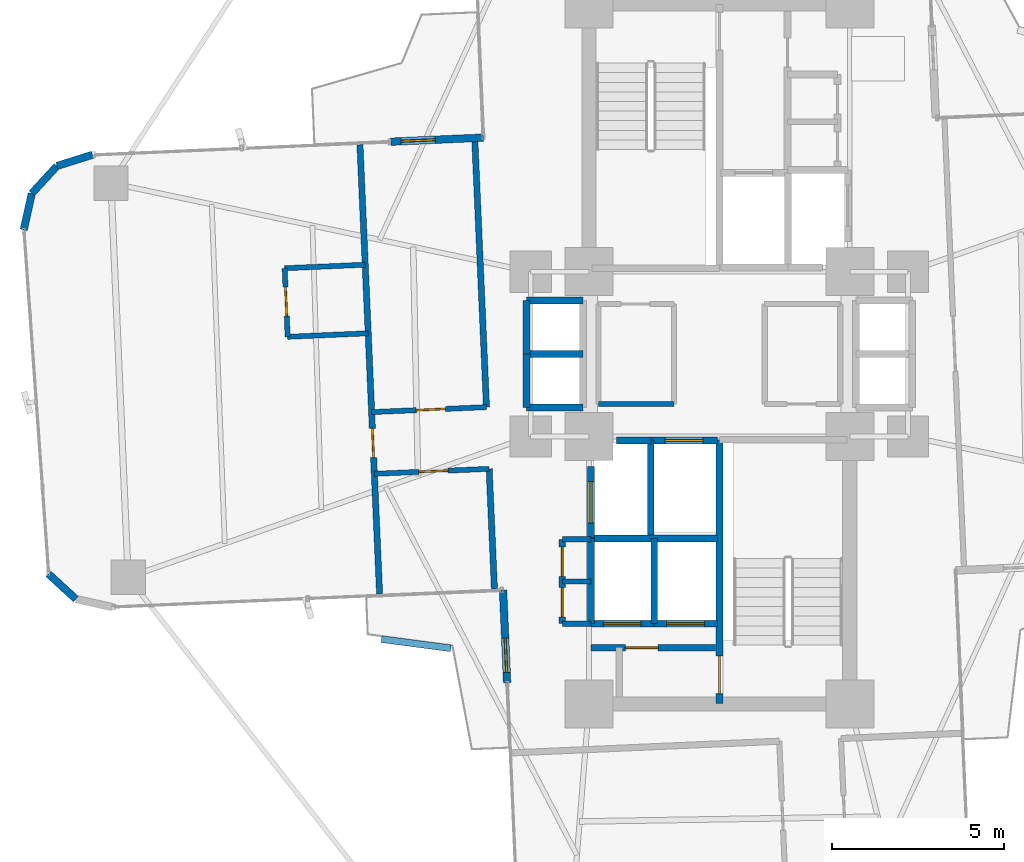
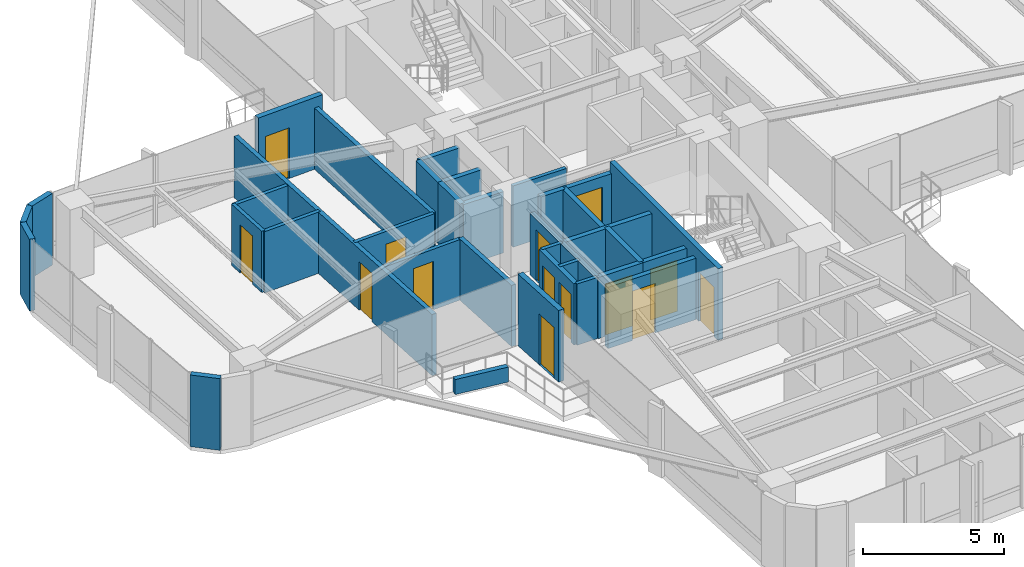
# One storey, part 23 of 26: 36 walls, 14 doors, 14 openings.
"""IFC4 building model written with IfcOpenShell, lengths in metres."""

from ifc_helpers import new_model, si_unit, direction, frame, frame_2d, origin, origin_2d, place, context, subcontext, project, spatial, rectangle, extrude, source, transform, mapped, material, layer, layer_set, type_object, element, fill, save


model = new_model("IFC4")

# Units and contexts
model_context = context("Model", 3, precision=1e-05, world=origin(), true_north=direction((0.0, 1.0)))
body_context = subcontext(model_context, "Body", "Model", "MODEL_VIEW")
ifc_project = project(units=[si_unit("LENGTHUNIT", "METRE"), si_unit("AREAUNIT", "SQUARE_METRE"), si_unit("VOLUMEUNIT", "CUBIC_METRE"), si_unit("PLANEANGLEUNIT", "RADIAN"), si_unit("MASSUNIT", "GRAM", prefix="KILO")], contexts=[model_context])

# Site, building, storey
site_placement = place(None, origin())
site = spatial("IfcSite", under=ifc_project, at=site_placement, CompositionType="ELEMENT")
building_placement = place(site_placement, origin())
building = spatial("IfcBuilding", under=site, at=building_placement, Name="Sahyath Konkavel Grand Hotel", CompositionType="ELEMENT")
storey_placement = place(building_placement, frame((0.0, 0.0, 121.5)))
storey = spatial("IfcBuildingStorey", under=building, at=storey_placement, Name="L33", CompositionType="ELEMENT", Elevation=121.5)

# Wall, opening, door
ifc_material_1 = material(Name="Warm Buff Sandstone Insulated Concrete C40/50", Category="masonry")
ifc_layer_1 = layer(ifc_material_1, 0.219970703125)
ifc_layer_set_1 = layer_set([ifc_layer_1], Name="Warm Buff Sandstone Insulated Concrete C40/50")
wall_type_1 = type_object("IfcWallType", Name="WLL-BALC-THRESH", PredefinedType="STANDARD", material=ifc_layer_set_1)
wall_1_placement = place(storey_placement, frame((-6.881591796875, 6.305908203125, 0.0), z_axis=(0.0, 0.0, 1.0), x_axis=(-0.999045894436, -0.043672655174, 0.0)))
wall_1 = element("IfcWall", 1, at=wall_1_placement, inside=storey, type_object=wall_type_1, Name="L33 Winter-Garden Threshold Wall 16", PredefinedType="STANDARD", context=body_context, shape_type="SweptSolid", body=[
    extrude(rectangle(XDim=2.7001953125, YDim=0.219970703125, at=frame_2d((1.35009765625, 0.0))), origin(), (0.0, 0.0, 1.0), 3.110107421875),
])
opening_1_placement = place(wall_1_placement, frame((1.39990234375, 0.0, 0.0)))
opening_1 = element("IfcOpeningElement", 2, at=opening_1_placement, cuts=wall_1, Name="Opening D-TR1", PredefinedType="OPENING", context=body_context, shape_type="SweptSolid", body=[
    extrude(rectangle(XDim=1.0, YDim=2.199951171875, at=frame_2d((0.5, 1.10009765625))), frame((0.0, 0.1201171875, 0.0), z_axis=(0.0, -1.0, 0.0), x_axis=(1.0, 0.0, 0.0)), (0.0, 0.0, 1.0), 0.239990234375),
])
ifc_material_2 = material(Name="Anodised Bronze Aluminium & Low-E Glazing", Category="aluminium")
door_type_1 = type_object("IfcDoorType", Name="DR-TERRACE-1000", OperationType="NOTDEFINED", PredefinedType="DOOR", material=ifc_material_2)
shared_shape_1 = source(origin(), body_context, "Body", "SweptSolid", [
    extrude(rectangle(XDim=1.0, YDim=0.050048828125, at=origin_2d()), origin(), (0.0, 0.0, 1.0), 2.199951171875),
])
door_1_placement = place(opening_1_placement, frame((0.5, 0.0, 0.0)))
door_1 = element("IfcDoor", 3, at=door_1_placement, inside=storey, type_object=door_type_1, Name="L33 Winter-Garden Terrace Door 16", OperationType="SINGLE_SWING_LEFT", OverallHeight=2.199951171875, OverallWidth=1.0, PredefinedType="DOOR", context=body_context, shape_type="MappedRepresentation", body=[
    mapped(shared_shape_1, transform((0.0, 0.0, 0.0), scale=1.0)),
])
fill(opening_1, door_1)

# Walls
for number, where, z_axis, x_axis, name in (
    (4, (-18.270751953125, 5.80859375, 0.0), (0.0, 0.0, 1.0), (-0.953721713582, -0.30069069331, 0.0), "L33 Rounded Corner Sandstone Pier 17"),
    (5, (-19.3076171875, 5.481689453125, 0.0), (0.0, 0.0, 1.0), (-0.675551721847, -0.737312600672, 0.0), "L33 Rounded Corner Sandstone Pier 18"),
):
    element("IfcWall", number, at=place(storey_placement, frame(where, z_axis=z_axis, x_axis=x_axis)), inside=storey, type_object=wall_type_1, Name=name, PredefinedType="STANDARD", context=body_context, shape_type="SweptSolid", body=[
        extrude(rectangle(XDim=1.087158203125, YDim=0.219970703125, at=frame_2d((0.54345703125, 0.0))), origin(), (0.0, 0.0, 1.0), 3.110107421875),
    ])
for number, where, z_axis, x_axis, name in (
    (6, (-20.0419921875, 4.68017578125, 0.0), (0.0, 0.0, 1.0), (-0.216288323511, -0.976329535102, 0.0), "L33 Rounded Corner Sandstone Pier 19"),
    (7, (-19.5576171875, -6.4091796875, 0.0), (0.0, 0.0, 1.0), (0.737210081318, -0.675663596772, 0.0), "L33 Rounded Corner Sandstone Pier 21"),
):
    element("IfcWall", number, at=place(storey_placement, frame(where, z_axis=z_axis, x_axis=x_axis)), inside=storey, type_object=wall_type_1, Name=name, PredefinedType="STANDARD", context=body_context, shape_type="SweptSolid", body=[
        extrude(rectangle(XDim=1.0869140625, YDim=0.219970703125, at=frame_2d((0.54345703125, 0.0))), origin(), (0.0, 0.0, 1.0), 3.110107421875),
    ])

# Wall, opening, door
wall_2_placement = place(storey_placement, frame((-6.305908203125, -6.881591796875, 0.0), z_axis=(0.0, 0.0, 1.0), x_axis=(0.043672655174, -0.999045894436, 0.0)))
wall_2 = element("IfcWall", 8, at=wall_2_placement, inside=storey, type_object=wall_type_1, Name="L33 Winter-Garden Threshold Wall 24", PredefinedType="STANDARD", context=body_context, shape_type="SweptSolid", body=[
    extrude(rectangle(XDim=2.7001953125, YDim=0.219970703125, at=frame_2d((1.35009765625, 0.0))), origin(), (0.0, 0.0, 1.0), 3.110107421875),
])
opening_2_placement = place(wall_2_placement, frame((1.39990234375, 0.0, 0.0)))
opening_2 = element("IfcOpeningElement", 9, at=opening_2_placement, cuts=wall_2, Name="Opening D-TR1", PredefinedType="OPENING", context=body_context, shape_type="SweptSolid", body=[
    extrude(rectangle(XDim=1.0, YDim=2.199951171875, at=frame_2d((0.5, 1.10009765625))), frame((0.0, 0.1201171875, 0.0), z_axis=(0.0, -1.0, 0.0), x_axis=(1.0, 0.0, 0.0)), (0.0, 0.0, 1.0), 0.239990234375),
])
door_2_placement = place(opening_2_placement, frame((0.5, 0.0, 0.0)))
door_2 = element("IfcDoor", 10, at=door_2_placement, inside=storey, type_object=door_type_1, Name="L33 Winter-Garden Terrace Door 24", OperationType="SINGLE_SWING_LEFT", OverallHeight=2.199951171875, OverallWidth=1.0, PredefinedType="DOOR", context=body_context, shape_type="MappedRepresentation", body=[
    mapped(shared_shape_1, transform((0.0, 0.0, 0.0), scale=1.0)),
])
fill(opening_2, door_2)

ifc_material_3 = material(Name="Concrete C40/50", Category="concrete")
ifc_layer_2 = layer(ifc_material_3, 0.199951171875)
ifc_layer_set_2 = layer_set([ifc_layer_2], Name="Concrete C40/50")
wall_type_2 = type_object("IfcWallType", Name="WLL-CORE-200", PredefinedType="SOLIDWALL", material=ifc_layer_set_2)
wall_3_placement = place(storey_placement, frame((0.0, -10.179931640625, 0.0), z_axis=(0.0, 0.0, 1.0), x_axis=(0.0, 1.0, 0.0)))
wall_3 = element("IfcWall", 11, at=wall_3_placement, inside=storey, type_object=wall_type_2, Name="L33 Stair ST-2 Shaft Wall W", PredefinedType="SOLIDWALL", context=body_context, shape_type="SweptSolid", body=[
    extrude(rectangle(XDim=7.679931640625, YDim=0.199951171875, at=frame_2d((3.83984375, 0.0))), origin(), (0.0, 0.0, 1.0), 3.110107421875),
])
opening_3_placement = place(wall_3_placement, frame((0.280029296875, 0.0, 0.0)))
opening_3 = element("IfcOpeningElement", 12, at=opening_3_placement, cuts=wall_3, Name="Opening D-F12B", PredefinedType="OPENING", context=body_context, shape_type="SweptSolid", body=[
    extrude(rectangle(XDim=1.10009765625, YDim=2.14990234375, at=frame_2d((0.550048828125, 1.074951171875))), frame((0.0, 0.10986328125, 0.0), z_axis=(0.0, -1.0, 0.0), x_axis=(1.0, 0.0, 0.0)), (0.0, 0.0, 1.0), 0.219970703125),
])
ifc_material_4 = material(Name="Steel E350 Smokeproof Fire Door", Category="steel")
door_type_2 = type_object("IfcDoorType", Name="DR-FD120-1100", OperationType="NOTDEFINED", PredefinedType="DOOR", material=ifc_material_4)
shared_shape_2 = source(origin(), body_context, "Body", "SweptSolid", [
    extrude(rectangle(XDim=1.10009765625, YDim=0.050048828125, at=origin_2d()), origin(), (0.0, 0.0, 1.0), 2.14990234375),
])
door_3_placement = place(opening_3_placement, frame((0.550048828125, 0.0, 0.0)))
door_3 = element("IfcDoor", 13, at=door_3_placement, inside=storey, type_object=door_type_2, Name="L33 Stair ST-2 Fire Door", OperationType="SINGLE_SWING_RIGHT", OverallHeight=2.14990234375, OverallWidth=1.10009765625, PredefinedType="DOOR", context=body_context, shape_type="MappedRepresentation", body=[
    mapped(shared_shape_2, transform((0.0, 0.0, 0.0), scale=1.0)),
])
fill(opening_3, door_3)

# Wall
wall_4_placement = place(storey_placement, frame((-2.0, -5.280029296875, 0.0), z_axis=(0.0, 0.0, 1.0), x_axis=(0.0, 1.0, 0.0)))
element("IfcWall", 14, at=wall_4_placement, inside=storey, type_object=wall_type_2, Name="L33 Partition SH-FFL2-W", PredefinedType="SOLIDWALL", context=body_context, shape_type="SweptSolid", body=[
    extrude(rectangle(XDim=2.780029296875, YDim=0.199951171875, at=frame_2d((1.39013671875, 0.0))), origin(), (0.0, 0.0, 1.0), 2.659912109375),
])

# Wall, opening, door
wall_5_placement = place(storey_placement, frame((-2.0, -2.52001953125, 0.0), z_axis=(0.0, 0.0, 1.0), x_axis=(1.0, 0.0, 0.0)))
wall_5 = element("IfcWall", 15, at=wall_5_placement, inside=storey, type_object=wall_type_2, Name="L33 Partition SH-FFL2-N", PredefinedType="SOLIDWALL", context=body_context, shape_type="SweptSolid", body=[
    extrude(rectangle(XDim=1.949951171875, YDim=0.199951171875, at=frame_2d((0.97509765625, 0.0))), origin(), (0.0, 0.0, 1.0), 2.659912109375),
])
opening_4_placement = place(wall_5_placement, frame((0.419921875, 0.0, 0.0)))
opening_4 = element("IfcOpeningElement", 16, at=opening_4_placement, cuts=wall_5, Name="Opening LD-11", PredefinedType="OPENING", context=body_context, shape_type="SweptSolid", body=[
    extrude(rectangle(XDim=1.10009765625, YDim=2.199951171875, at=frame_2d((0.550048828125, 1.10009765625))), frame((0.0, 0.10986328125, 0.0), z_axis=(0.0, -1.0, 0.0), x_axis=(1.0, 0.0, 0.0)), (0.0, 0.0, 1.0), 0.219970703125),
])
ifc_material_5 = material(Name="Bronze Lift Landing Door 1100")
door_type_3 = type_object("IfcDoorType", Name="DR-LIFT-1100", OperationType="DOUBLE_DOOR_SLIDING", PredefinedType="DOOR", material=ifc_material_5)
shared_shape_3 = source(origin(), body_context, "Body", "SweptSolid", [
    extrude(rectangle(XDim=1.10009765625, YDim=0.050048828125, at=origin_2d()), origin(), (0.0, 0.0, 1.0), 2.199951171875),
])
door_4_placement = place(opening_4_placement, frame((0.550048828125, 0.0, 0.0)))
door_4 = element("IfcDoor", 17, at=door_4_placement, inside=storey, type_object=door_type_3, Name="L33 Lift FFL-2 Landing Door", OperationType="DOUBLE_DOOR_SLIDING", OverallHeight=2.199951171875, OverallWidth=1.10009765625, PredefinedType="DOOR", context=body_context, shape_type="MappedRepresentation", body=[
    mapped(shared_shape_3, transform((0.0, 0.0, 0.0), scale=1.0)),
])
fill(opening_4, door_4)

# Wall
wall_6_placement = place(storey_placement, frame((-3.0, -2.52001953125, 0.0), z_axis=(0.0, 0.0, 1.0), x_axis=(1.0, 0.0, 0.0)))
element("IfcWall", 18, at=wall_6_placement, inside=storey, type_object=wall_type_2, Name="L33 Partition SH-SVL2-N", PredefinedType="SOLIDWALL", context=body_context, shape_type="SweptSolid", body=[
    extrude(rectangle(XDim=1.0, YDim=0.199951171875, at=frame_2d((0.5, 0.0))), origin(), (0.0, 0.0, 1.0), 2.659912109375),
])

# Wall, opening, door
wall_7_placement = place(storey_placement, frame((-3.739990234375, -5.360107421875, 0.0), z_axis=(0.0, 0.0, 1.0), x_axis=(0.0, 1.0, 0.0)))
wall_7 = element("IfcWall", 19, at=wall_7_placement, inside=storey, type_object=wall_type_2, Name="L33 Partition SH-SVL2-W", PredefinedType="SOLIDWALL", context=body_context, shape_type="SweptSolid", body=[
    extrude(rectangle(XDim=2.080078125, YDim=0.199951171875, at=frame_2d((1.0400390625, 0.0))), origin(), (0.0, 0.0, 1.0), 2.659912109375),
])
opening_5_placement = place(wall_7_placement, frame((0.43994140625, 0.0, 0.0)))
opening_5 = element("IfcOpeningElement", 20, at=opening_5_placement, cuts=wall_7, Name="Opening LD-12", PredefinedType="OPENING", context=body_context, shape_type="SweptSolid", body=[
    extrude(rectangle(XDim=1.199951171875, YDim=2.199951171875, at=frame_2d((0.60009765625, 1.10009765625))), frame((0.0, 0.10986328125, 0.0), z_axis=(0.0, -1.0, 0.0), x_axis=(1.0, 0.0, 0.0)), (0.0, 0.0, 1.0), 0.219970703125),
])
ifc_material_6 = material(Name="Stainless Steel Lift Landing Door 1200", Category="steel")
door_type_4 = type_object("IfcDoorType", Name="DR-LIFT-1200", OperationType="DOUBLE_DOOR_SLIDING", PredefinedType="DOOR", material=ifc_material_6)
shared_shape_4 = source(origin(), body_context, "Body", "SweptSolid", [
    extrude(rectangle(XDim=1.199951171875, YDim=0.050048828125, at=origin_2d()), origin(), (0.0, 0.0, 1.0), 2.199951171875),
])
door_5_placement = place(opening_5_placement, frame((0.60009765625, 0.0, 0.0)))
door_5 = element("IfcDoor", 21, at=door_5_placement, inside=storey, type_object=door_type_4, Name="L33 Service Lift SVL-2 Landing Door", OperationType="DOUBLE_DOOR_SLIDING", OverallHeight=2.199951171875, OverallWidth=1.199951171875, PredefinedType="DOOR", context=body_context, shape_type="MappedRepresentation", body=[
    mapped(shared_shape_4, transform((0.0, 0.0, 0.0), scale=1.0)),
])
fill(opening_5, door_5)

# Wall
wall_8_placement = place(storey_placement, frame((-3.739990234375, -7.860107421875, 0.0), z_axis=(0.0, 0.0, 1.0), x_axis=(0.0, 1.0, 0.0)))
element("IfcWall", 22, at=wall_8_placement, inside=storey, type_object=wall_type_2, Name="L33 Partition SH-PL3-W", PredefinedType="SOLIDWALL", context=body_context, shape_type="SweptSolid", body=[
    extrude(rectangle(XDim=2.480224609375, YDim=0.199951171875, at=frame_2d((1.240234375, 0.0))), origin(), (0.0, 0.0, 1.0), 2.659912109375),
])

# Wall, opening, door
wall_9_placement = place(storey_placement, frame((-3.739990234375, -7.860107421875, 0.0), z_axis=(0.0, 0.0, 1.0), x_axis=(1.0, 0.0, 0.0)))
wall_9 = element("IfcWall", 23, at=wall_9_placement, inside=storey, type_object=wall_type_2, Name="L33 Partition SH-PL3-S", PredefinedType="SOLIDWALL", context=body_context, shape_type="SweptSolid", body=[
    extrude(rectangle(XDim=1.840087890625, YDim=0.199951171875, at=frame_2d((0.919921875, 0.0))), origin(), (0.0, 0.0, 1.0), 2.659912109375),
])
opening_6_placement = place(wall_9_placement, frame((0.360107421875, 0.0, 0.0)))
opening_6 = element("IfcOpeningElement", 24, at=opening_6_placement, cuts=wall_9, Name="Opening LD-11", PredefinedType="OPENING", context=body_context, shape_type="SweptSolid", body=[
    extrude(rectangle(XDim=1.10009765625, YDim=2.199951171875, at=frame_2d((0.550048828125, 1.10009765625))), frame((0.0, 0.10986328125, 0.0), z_axis=(0.0, -1.0, 0.0), x_axis=(1.0, 0.0, 0.0)), (0.0, 0.0, 1.0), 0.219970703125),
])
door_6_placement = place(opening_6_placement, frame((0.550048828125, 0.0, 0.0)))
door_6 = element("IfcDoor", 25, at=door_6_placement, inside=storey, type_object=door_type_3, Name="L33 Passenger Lift PL-3 Landing Door", OperationType="DOUBLE_DOOR_SLIDING", OverallHeight=2.199951171875, OverallWidth=1.10009765625, PredefinedType="DOOR", context=body_context, shape_type="MappedRepresentation", body=[
    mapped(shared_shape_3, transform((0.0, 0.0, 0.0), scale=1.0)),
])
fill(opening_6, door_6)

# Walls
wall_10_placement = place(storey_placement, frame((-3.739990234375, -5.3798828125, 0.0), z_axis=(0.0, 0.0, 1.0), x_axis=(1.0, 0.0, 0.0)))
element("IfcWall", 26, at=wall_10_placement, inside=storey, type_object=wall_type_2, Name="L33 Partition SH-PL34-N", PredefinedType="SOLIDWALL", context=body_context, shape_type="SweptSolid", body=[
    extrude(rectangle(XDim=3.68994140625, YDim=0.199951171875, at=frame_2d((1.844970703125, 0.0))), origin(), (0.0, 0.0, 1.0), 2.659912109375),
])
wall_11_placement = place(storey_placement, frame((-1.89990234375, -7.860107421875, 0.0), z_axis=(0.0, 0.0, 1.0), x_axis=(0.0, 1.0, 0.0)))
element("IfcWall", 27, at=wall_11_placement, inside=storey, type_object=wall_type_2, Name="L33 Partition SH-PL34-M", PredefinedType="SOLIDWALL", context=body_context, shape_type="SweptSolid", body=[
    extrude(rectangle(XDim=2.480224609375, YDim=0.199951171875, at=frame_2d((1.240234375, 0.0))), origin(), (0.0, 0.0, 1.0), 2.659912109375),
])

# Wall, opening, door
wall_12_placement = place(storey_placement, frame((-1.89990234375, -7.860107421875, 0.0), z_axis=(0.0, 0.0, 1.0), x_axis=(1.0, 0.0, 0.0)))
wall_12 = element("IfcWall", 28, at=wall_12_placement, inside=storey, type_object=wall_type_2, Name="L33 Partition SH-PL4-S", PredefinedType="SOLIDWALL", context=body_context, shape_type="SweptSolid", body=[
    extrude(rectangle(XDim=1.849853515625, YDim=0.199951171875, at=frame_2d((0.9248046875, 0.0))), origin(), (0.0, 0.0, 1.0), 2.659912109375),
])
opening_7_placement = place(wall_12_placement, frame((0.360107421875, 0.0, 0.0)))
opening_7 = element("IfcOpeningElement", 29, at=opening_7_placement, cuts=wall_12, Name="Opening LD-11", PredefinedType="OPENING", context=body_context, shape_type="SweptSolid", body=[
    extrude(rectangle(XDim=1.10009765625, YDim=2.199951171875, at=frame_2d((0.550048828125, 1.10009765625))), frame((0.0, 0.10986328125, 0.0), z_axis=(0.0, -1.0, 0.0), x_axis=(1.0, 0.0, 0.0)), (0.0, 0.0, 1.0), 0.219970703125),
])
door_7_placement = place(opening_7_placement, frame((0.550048828125, 0.0, 0.0)))
door_7 = element("IfcDoor", 30, at=door_7_placement, inside=storey, type_object=door_type_3, Name="L33 Passenger Lift PL-4 Landing Door", OperationType="DOUBLE_DOOR_SLIDING", OverallHeight=2.199951171875, OverallWidth=1.10009765625, PredefinedType="DOOR", context=body_context, shape_type="MappedRepresentation", body=[
    mapped(shared_shape_3, transform((0.0, 0.0, 0.0), scale=1.0)),
])
fill(opening_7, door_7)

# Walls
for number, where, z_axis, x_axis, name in (
    (31, (-5.6201171875, 1.56005859375, 0.0), (0.0, 0.0, 1.0), (1.0, 0.0, 0.0), "L33 Partition SH-SL12-N"),
    (32, (-5.6201171875, -1.56005859375, 0.0), (0.0, 0.0, 1.0), (1.0, 0.0, 0.0), "L33 Partition SH-SL12-S"),
    (33, (-5.6201171875, 0.0, 0.0), (0.0, 0.0, 1.0), (1.0, 0.0, 0.0), "L33 Partition SH-SL12-M"),
):
    element("IfcWall", number, at=place(storey_placement, frame(where, z_axis=z_axis, x_axis=x_axis)), inside=storey, type_object=wall_type_2, Name=name, PredefinedType="SOLIDWALL", context=body_context, shape_type="SweptSolid", body=[
        extrude(rectangle(XDim=1.64013671875, YDim=0.199951171875, at=frame_2d((0.820068359375, 0.0))), origin(), (0.0, 0.0, 1.0), 2.659912109375),
    ])
for number, where, z_axis, x_axis, name in (
    (34, (-5.6201171875, 0.0, 0.0), (0.0, 0.0, 1.0), (0.0, 1.0, 0.0), "L33 Partition SH-SL1-W"),
    (35, (-5.6201171875, -1.56005859375, 0.0), (0.0, 0.0, 1.0), (0.0, 1.0, 0.0), "L33 Partition SH-SL2-W"),
):
    element("IfcWall", number, at=place(storey_placement, frame(where, z_axis=z_axis, x_axis=x_axis)), inside=storey, type_object=wall_type_2, Name=name, PredefinedType="SOLIDWALL", context=body_context, shape_type="SweptSolid", body=[
        extrude(rectangle(XDim=1.56005859375, YDim=0.199951171875, at=frame_2d((0.780029296875, 0.0))), origin(), (0.0, 0.0, 1.0), 2.659912109375),
    ])

# Wall, opening, door
wall_13_placement = place(storey_placement, frame((-3.739990234375, -8.56005859375, 0.0), z_axis=(0.0, 0.0, 1.0), x_axis=(1.0, 0.0, 0.0)))
wall_13 = element("IfcWall", 36, at=wall_13_placement, inside=storey, type_object=wall_type_2, Name="L33 South FF Lobby Separation Wall", PredefinedType="SOLIDWALL", context=body_context, shape_type="SweptSolid", body=[
    extrude(rectangle(XDim=3.619873046875, YDim=0.199951171875, at=frame_2d((1.81005859375, 0.0))), origin(), (0.0, 0.0, 1.0), 2.659912109375),
])
opening_8_placement = place(wall_13_placement, frame((1.0, 0.0, 0.0)))
opening_8 = element("IfcOpeningElement", 37, at=opening_8_placement, cuts=wall_13, Name="Opening D-F12C", PredefinedType="OPENING", context=body_context, shape_type="SweptSolid", body=[
    extrude(rectangle(XDim=0.949951171875, YDim=2.14990234375, at=frame_2d((0.47509765625, 1.074951171875))), frame((0.0, 0.10986328125, 0.0), z_axis=(0.0, -1.0, 0.0), x_axis=(1.0, 0.0, 0.0)), (0.0, 0.0, 1.0), 0.219970703125),
])
ifc_material_7 = material(Name="Steel E350 Plant Fire Door", Category="steel")
door_type_5 = type_object("IfcDoorType", Name="DR-FD120-950", OperationType="NOTDEFINED", PredefinedType="DOOR", material=ifc_material_7)
shared_shape_5 = source(origin(), body_context, "Body", "SweptSolid", [
    extrude(rectangle(XDim=0.949951171875, YDim=0.050048828125, at=origin_2d()), origin(), (0.0, 0.0, 1.0), 2.14990234375),
])
door_8_placement = place(opening_8_placement, frame((0.47509765625, 0.0, 0.0)))
door_8 = element("IfcDoor", 38, at=door_8_placement, inside=storey, type_object=door_type_5, Name="L33 South Firefighting Lobby Door", OperationType="SINGLE_SWING_LEFT", OverallHeight=2.14990234375, OverallWidth=0.949951171875, PredefinedType="DOOR", context=body_context, shape_type="MappedRepresentation", body=[
    mapped(shared_shape_5, transform((0.0, 0.0, 0.0), scale=1.0)),
])
fill(opening_8, door_8)

# Wall, openings, doors
wall_14_placement = place(storey_placement, frame((-4.580078125, -7.860107421875, 0.0), z_axis=(0.0, 0.0, 1.0), x_axis=(0.0, 1.0, 0.0)))
wall_14 = element("IfcWall", 39, at=wall_14_placement, inside=storey, type_object=wall_type_2, Name="L33 Partition SC-FLK-W", PredefinedType="SOLIDWALL", context=body_context, shape_type="SweptSolid", body=[
    extrude(rectangle(XDim=2.460205078125, YDim=0.199951171875, at=frame_2d((1.22998046875, 0.0))), origin(), (0.0, 0.0, 1.0), 2.659912109375),
])
opening_9_placement = place(wall_14_placement, frame((0.199951171875, 0.0, 0.0)))
opening_9 = element("IfcOpeningElement", 40, at=opening_9_placement, cuts=wall_14, Name="Opening D-F06D", PredefinedType="OPENING", context=body_context, shape_type="SweptSolid", body=[
    extrude(rectangle(XDim=0.85009765625, YDim=2.10009765625, at=frame_2d((0.425048828125, 1.050048828125))), frame((0.0, 0.10986328125, 0.0), z_axis=(0.0, -1.0, 0.0), x_axis=(1.0, 0.0, 0.0)), (0.0, 0.0, 1.0), 0.219970703125),
])
opening_10_placement = place(wall_14_placement, frame((1.3798828125, 0.0, 0.0)))
opening_10 = element("IfcOpeningElement", 41, at=opening_10_placement, cuts=wall_14, Name="Opening D-F06D", PredefinedType="OPENING", context=body_context, shape_type="SweptSolid", body=[
    extrude(rectangle(XDim=0.85009765625, YDim=2.10009765625, at=frame_2d((0.425048828125, 1.050048828125))), frame((0.0, 0.10986328125, 0.0), z_axis=(0.0, -1.0, 0.0), x_axis=(1.0, 0.0, 0.0)), (0.0, 0.0, 1.0), 0.219970703125),
])
ifc_material_8 = material(Name="Fire-Rated Shaft Access Door")
door_type_6 = type_object("IfcDoorType", Name="DR-FD60-850", OperationType="NOTDEFINED", PredefinedType="DOOR", material=ifc_material_8)
shared_shape_6 = source(origin(), body_context, "Body", "SweptSolid", [
    extrude(rectangle(XDim=0.85009765625, YDim=0.050048828125, at=origin_2d()), origin(), (0.0, 0.0, 1.0), 2.10009765625),
])
door_9_placement = place(opening_9_placement, frame((0.425048828125, 0.0, 0.0)))
door_9 = element("IfcDoor", 42, at=door_9_placement, inside=storey, type_object=door_type_6, Name="L33 Door SC-FLK1-D", OperationType="SINGLE_SWING_RIGHT", OverallHeight=2.10009765625, OverallWidth=0.85009765625, PredefinedType="DOOR", context=body_context, shape_type="MappedRepresentation", body=[
    mapped(shared_shape_6, transform((0.0, 0.0, 0.0), scale=1.0)),
])
fill(opening_9, door_9)
door_10_placement = place(opening_10_placement, frame((0.425048828125, 0.0, 0.0)))
door_10 = element("IfcDoor", 43, at=door_10_placement, inside=storey, type_object=door_type_6, Name="L33 Door SC-FLK2-D", OperationType="SINGLE_SWING_LEFT", OverallHeight=2.10009765625, OverallWidth=0.85009765625, PredefinedType="DOOR", context=body_context, shape_type="MappedRepresentation", body=[
    mapped(shared_shape_6, transform((0.0, 0.0, 0.0), scale=1.0)),
])
fill(opening_10, door_10)

# Walls
ifc_material_9 = material(Name="Twin-Stud Acoustic Gypsum Plasterboard Partition")
ifc_layer_3 = layer(ifc_material_9, 0.179931640625)
ifc_layer_set_3 = layer_set([ifc_layer_3], Name="Twin-Stud Acoustic Gypsum Plasterboard Partition")
wall_type_3 = type_object("IfcWallType", Name="WLL-DEMISE-180", PredefinedType="PARTITIONING", material=ifc_layer_set_3)
wall_15_placement = place(storey_placement, frame((-6.71044921875, -3.345947265625, 0.0), z_axis=(0.0, 0.0, 1.0), x_axis=(0.043597663116, -0.999049169846, 0.0)))
element("IfcWall", 44, at=wall_15_placement, inside=storey, type_object=wall_type_3, Name="L33 Partition W-INL", PredefinedType="PARTITIONING", context=body_context, shape_type="SweptSolid", body=[
    extrude(rectangle(XDim=3.5, YDim=0.179931640625, at=frame_2d((1.75, 0.0))), origin(), (0.0, 0.0, 1.0), 2.659912109375),
])
wall_16_placement = place(storey_placement, frame((-7.129150390625, 6.2451171875, 0.0), z_axis=(0.0, 0.0, 1.0), x_axis=(0.043600217373, -0.999049058378, 0.0)))
element("IfcWall", 45, at=wall_16_placement, inside=storey, type_object=wall_type_3, Name="L33 Partition W-INR", PredefinedType="PARTITIONING", context=body_context, shape_type="SweptSolid", body=[
    extrude(rectangle(XDim=7.800048828125, YDim=0.179931640625, at=frame_2d((3.89990234375, 0.0))), origin(), (0.0, 0.0, 1.0), 2.659912109375),
])

# Wall, opening, door
wall_17_placement = place(storey_placement, frame((-10.47607421875, 6.098876953125, 0.0), z_axis=(0.0, 0.0, 1.0), x_axis=(0.043628089563, -0.999047841598, 0.0)))
wall_17 = element("IfcWall", 46, at=wall_17_placement, inside=storey, type_object=wall_type_3, Name="L33 Partition W-WTIP-END", PredefinedType="PARTITIONING", context=body_context, shape_type="SweptSolid", body=[
    extrude(rectangle(XDim=13.10009765625, YDim=0.179931640625, at=frame_2d((6.550048828125, 0.0))), origin(), (0.0, 0.0, 1.0), 2.659912109375),
])
opening_11_placement = place(wall_17_placement, frame((8.27490234375, 0.0, 0.0)))
opening_11 = element("IfcOpeningElement", 47, at=opening_11_placement, cuts=wall_17, Name="Opening D-F06D", PredefinedType="OPENING", context=body_context, shape_type="SweptSolid", body=[
    extrude(rectangle(XDim=0.85009765625, YDim=2.10009765625, at=frame_2d((0.425048828125, 1.050048828125))), frame((0.0, 0.10009765625, 0.0), z_axis=(0.0, -1.0, 0.0), x_axis=(1.0, 0.0, 0.0)), (0.0, 0.0, 1.0), 0.199951171875),
])
door_11_placement = place(opening_11_placement, frame((0.425048828125, 0.0, 0.0)))
door_11 = element("IfcDoor", 48, at=door_11_placement, inside=storey, type_object=door_type_6, Name="L33 Door W-WTIP-ED", OperationType="SINGLE_SWING_LEFT", OverallHeight=2.10009765625, OverallWidth=0.85009765625, PredefinedType="DOOR", context=body_context, shape_type="MappedRepresentation", body=[
    mapped(shared_shape_6, transform((0.0, 0.0, 0.0), scale=1.0)),
])
fill(opening_11, door_11)

# Walls
ifc_material_10 = material(Name="Fire-Rated Gypsum Plasterboard Partition")
ifc_layer_4 = layer(ifc_material_10, 0.14990234375)
ifc_layer_set_4 = layer_set([ifc_layer_4], Name="Fire-Rated Gypsum Plasterboard Partition")
wall_type_4 = type_object("IfcWallType", Name="WLL-PART-150", PredefinedType="PARTITIONING", material=ifc_layer_set_4)
for number, where, z_axis, x_axis, name in (
    (49, (-4.580078125, -5.39990234375, 0.0), (0.0, 0.0, 1.0), (1.0, 0.0, 0.0), "L33 Partition SC-FLK-N"),
    (50, (-4.580078125, -7.860107421875, 0.0), (0.0, 0.0, 1.0), (1.0, 0.0, 0.0), "L33 Partition SC-FLK-S"),
    (51, (-4.580078125, -6.6298828125, 0.0), (0.0, 0.0, 1.0), (1.0, 0.0, 0.0), "L33 Partition SC-FLK-M"),
):
    element("IfcWall", number, at=place(storey_placement, frame(where, z_axis=z_axis, x_axis=x_axis)), inside=storey, type_object=wall_type_4, Name=name, PredefinedType="PARTITIONING", context=body_context, shape_type="SweptSolid", body=[
        extrude(rectangle(XDim=0.840087890625, YDim=0.14990234375, at=frame_2d((0.419921875, 0.0))), origin(), (0.0, 0.0, 1.0), 2.659912109375),
    ])
wall_18_placement = place(storey_placement, frame((-3.52001953125, -1.4599609375, 0.0), z_axis=(0.0, 0.0, 1.0), x_axis=(1.0, 0.0, 0.0)))
element("IfcWall", 52, at=wall_18_placement, inside=storey, type_object=wall_type_4, Name="L33 Partition CC-1WS", PredefinedType="PARTITIONING", context=body_context, shape_type="SweptSolid", body=[
    extrude(rectangle(XDim=2.199951171875, YDim=0.14990234375, at=frame_2d((1.10009765625, 0.0))), origin(), (0.0, 0.0, 1.0), 2.659912109375),
])

# Wall, opening, door
wall_19_placement = place(storey_placement, frame((-6.71044921875, -3.345947265625, 0.0), z_axis=(0.0, 0.0, 1.0), x_axis=(-0.999049960678, -0.043579537274, 0.0)))
wall_19 = element("IfcWall", 53, at=wall_19_placement, inside=storey, type_object=wall_type_4, Name="L33 Partition W-CL", PredefinedType="PARTITIONING", context=body_context, shape_type="SweptSolid", body=[
    extrude(rectangle(XDim=3.35009765625, YDim=0.14990234375, at=frame_2d((1.675048828125, 0.0))), origin(), (0.0, 0.0, 1.0), 2.6298828125),
])
opening_12_placement = place(wall_19_placement, frame((1.199951171875, 0.0, 0.0)))
opening_12 = element("IfcOpeningElement", 54, at=opening_12_placement, cuts=wall_19, Name="Opening D-F06D", PredefinedType="OPENING", context=body_context, shape_type="SweptSolid", body=[
    extrude(rectangle(XDim=0.85009765625, YDim=2.10009765625, at=frame_2d((0.425048828125, 1.050048828125))), frame((0.0, 0.0849609375, 0.0), z_axis=(0.0, -1.0, 0.0), x_axis=(1.0, 0.0, 0.0)), (0.0, 0.0, 1.0), 0.169921875),
])
door_12_placement = place(opening_12_placement, frame((0.425048828125, 0.0, 0.0)))
door_12 = element("IfcDoor", 55, at=door_12_placement, inside=storey, type_object=door_type_6, Name="L33 Door W-WS3L-D", OperationType="SINGLE_SWING_RIGHT", OverallHeight=2.10009765625, OverallWidth=0.85009765625, PredefinedType="DOOR", context=body_context, shape_type="MappedRepresentation", body=[
    mapped(shared_shape_6, transform((0.0, 0.0, 0.0), scale=1.0)),
])
fill(opening_12, door_12)

wall_20_placement = place(storey_placement, frame((-6.7890625, -1.547607421875, 0.0), z_axis=(0.0, 0.0, 1.0), x_axis=(-0.99904982226, -0.043582710367, 0.0)))
wall_20 = element("IfcWall", 56, at=wall_20_placement, inside=storey, type_object=wall_type_4, Name="L33 Partition W-CR", PredefinedType="PARTITIONING", context=body_context, shape_type="SweptSolid", body=[
    extrude(rectangle(XDim=3.349853515625, YDim=0.14990234375, at=frame_2d((1.6748046875, 0.0))), origin(), (0.0, 0.0, 1.0), 2.659912109375),
])
opening_13_placement = place(wall_20_placement, frame((1.199951171875, 0.0, 0.0)))
opening_13 = element("IfcOpeningElement", 57, at=opening_13_placement, cuts=wall_20, Name="Opening D-F06D", PredefinedType="OPENING", context=body_context, shape_type="SweptSolid", body=[
    extrude(rectangle(XDim=0.85009765625, YDim=2.10009765625, at=frame_2d((0.425048828125, 1.050048828125))), frame((0.0, 0.0849609375, 0.0), z_axis=(0.0, -1.0, 0.0), x_axis=(1.0, 0.0, 0.0)), (0.0, 0.0, 1.0), 0.169921875),
])
door_13_placement = place(opening_13_placement, frame((0.425048828125, 0.0, 0.0)))
door_13 = element("IfcDoor", 58, at=door_13_placement, inside=storey, type_object=door_type_6, Name="L33 Door W-WHK-D", OperationType="SINGLE_SWING_LEFT", OverallHeight=2.10009765625, OverallWidth=0.85009765625, PredefinedType="DOOR", context=body_context, shape_type="MappedRepresentation", body=[
    mapped(shared_shape_6, transform((0.0, 0.0, 0.0), scale=1.0)),
])
fill(opening_13, door_13)

# Walls
wall_21_placement = place(storey_placement, frame((-10.236083984375, 0.60400390625, 0.0), z_axis=(0.0, 0.0, 1.0), x_axis=(-0.999052234136, -0.043527387554, 0.0)))
element("IfcWall", 59, at=wall_21_placement, inside=storey, type_object=wall_type_4, Name="L33 Partition W-WTIP-BN", PredefinedType="PARTITIONING", context=body_context, shape_type="SweptSolid", body=[
    extrude(rectangle(XDim=2.35009765625, YDim=0.14990234375, at=frame_2d((1.175048828125, 0.0))), origin(), (0.0, 0.0, 1.0), 2.659912109375),
])
wall_22_placement = place(storey_placement, frame((-10.3232421875, 2.602294921875, 0.0), z_axis=(0.0, 0.0, 1.0), x_axis=(-0.999047711264, -0.043631074008, 0.0)))
element("IfcWall", 60, at=wall_22_placement, inside=storey, type_object=wall_type_4, Name="L33 Partition W-WTIP-BS", PredefinedType="PARTITIONING", context=body_context, shape_type="SweptSolid", body=[
    extrude(rectangle(XDim=2.35009765625, YDim=0.14990234375, at=frame_2d((1.175048828125, 0.0))), origin(), (0.0, 0.0, 1.0), 2.6298828125),
])

# Wall, opening, door
wall_23_placement = place(storey_placement, frame((-12.671142578125, 2.499755859375, 0.0), z_axis=(0.0, 0.0, 1.0), x_axis=(0.043580257179, -0.999049929275, 0.0)))
wall_23 = element("IfcWall", 61, at=wall_23_placement, inside=storey, type_object=wall_type_4, Name="L33 Partition W-WTIP-BE", PredefinedType="PARTITIONING", context=body_context, shape_type="SweptSolid", body=[
    extrude(rectangle(XDim=2.0, YDim=0.14990234375, at=frame_2d((1.0, 0.0))), origin(), (0.0, 0.0, 1.0), 2.659912109375),
])
opening_14_placement = place(wall_23_placement, frame((0.550048828125, 0.0, 0.0)))
opening_14 = element("IfcOpeningElement", 62, at=opening_14_placement, cuts=wall_23, Name="Opening D-BT85", PredefinedType="OPENING", context=body_context, shape_type="SweptSolid", body=[
    extrude(rectangle(XDim=0.85009765625, YDim=2.10009765625, at=frame_2d((0.425048828125, 1.050048828125))), frame((0.0, 0.0849609375, 0.0), z_axis=(0.0, -1.0, 0.0), x_axis=(1.0, 0.0, 0.0)), (0.0, 0.0, 1.0), 0.169921875),
])
ifc_material_11 = material(Name="Moisture-Resistant Teak Bathroom Door")
door_type_7 = type_object("IfcDoorType", Name="DR-BATH-850", OperationType="NOTDEFINED", PredefinedType="DOOR", material=ifc_material_11)
door_14_placement = place(opening_14_placement, frame((0.425048828125, 0.0, 0.0)))
door_14 = element("IfcDoor", 63, at=door_14_placement, inside=storey, type_object=door_type_7, Name="L33 Door W-WTIP-BD", OperationType="SINGLE_SWING_RIGHT", OverallHeight=2.10009765625, OverallWidth=0.85009765625, PredefinedType="DOOR", context=body_context, shape_type="MappedRepresentation", body=[
    mapped(shared_shape_6, transform((0.0, 0.0, 0.0), scale=1.0)),
])
fill(opening_14, door_14)

# Wall
ifc_material_12 = material(Name="Warm Buff Sandstone Planter Wall", Category="masonry")
ifc_layer_5 = layer(ifc_material_12, 0.199951171875)
ifc_layer_set_5 = layer_set([ifc_layer_5], Name="Warm Buff Sandstone Planter Wall")
wall_type_5 = type_object("IfcWallType", Name="WLL-PLANTER-200", PredefinedType="PARAPET", material=ifc_layer_set_5)
wall_24_placement = place(storey_placement, frame((-9.848876953125, -8.309814453125, 0.0), z_axis=(0.0, 0.0, 1.0), x_axis=(0.991316501418, -0.13149750574, 0.0)))
element("IfcWall", 64, at=wall_24_placement, inside=storey, type_object=wall_type_5, Name="L33 Sky-Garden Stone Planter PLANTER SW", PredefinedType="PARAPET", context=body_context, shape_type="SweptSolid", body=[
    extrude(rectangle(XDim=2.04052734375, YDim=0.199951171875, at=frame_2d((1.020263671875, 0.0))), origin(), (0.0, 0.0, 1.0), 0.64990234375),
])

save(model, "model.ifc")
